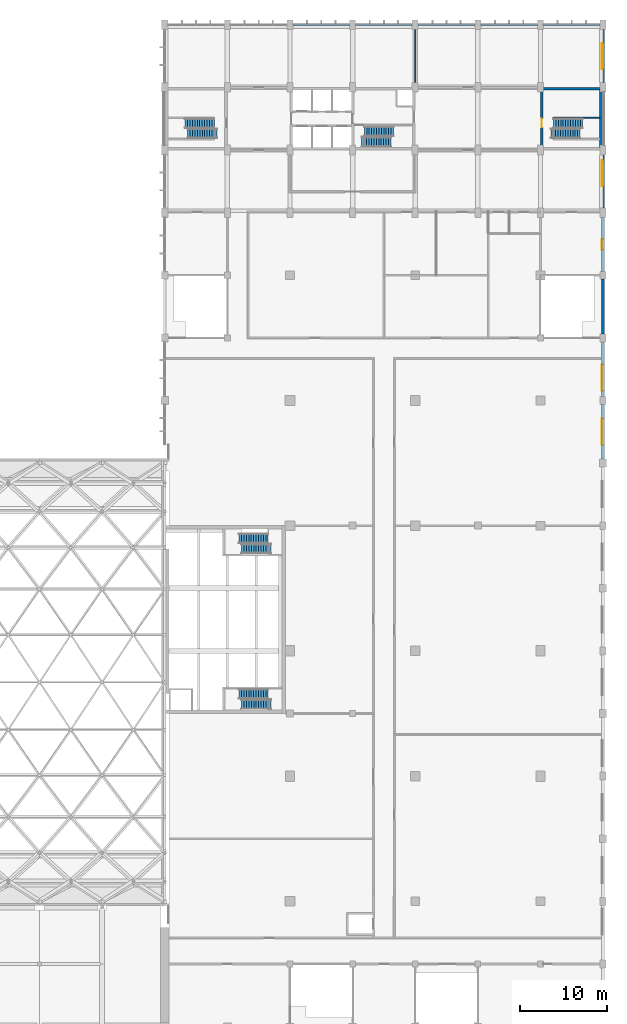
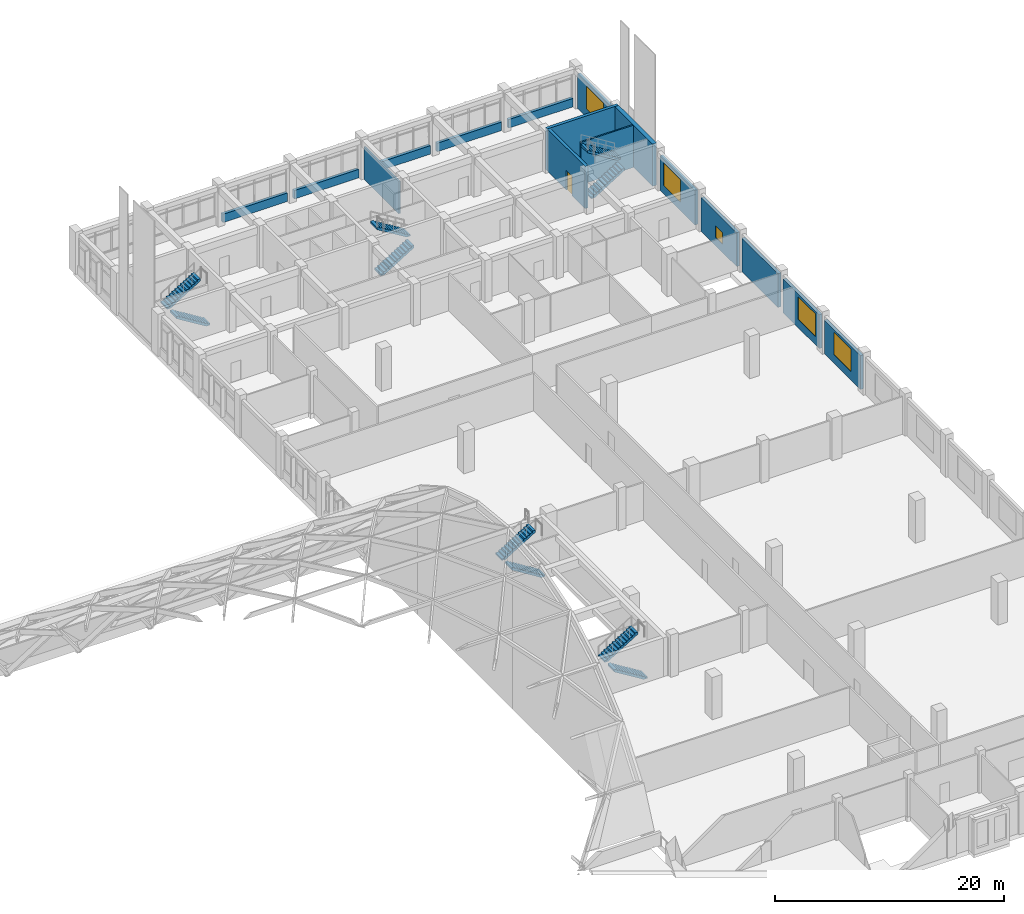
# One storey, part 38 of 52: 16 walls, 10 stair flights, 5 windows, 1 door, 6 openings, 5 elements without a shape of their own.
"""IFC4 building model written with IfcOpenShell, lengths in metres."""

import ifcopenshell
import ifcopenshell.guid

model = None  # the IFC model being written
_history = None  # IfcOwnerHistory: only IFC2X3 demands one
_inside = {}  # id of a spatial element -> (the spatial element, [elements in it])
_under = {}  # id of a project, library or spatial element -> (it, [spatial elements below it])
_declared = {}  # id of a project -> (the project, [libraries it declares])
_typed = {}  # id of a type object -> (the type object, [elements of that type])
_made_of = {}  # id of a material, layer set ... -> (it, [elements and type objects made of it])


def new_model(schema):
    """Start an empty IFC model of exactly this schema.

    Asked for "IFC4X3", IfcOpenShell would pick the latest addendum, in which some entities
    have other attributes; the version numbers below select the first issue.
    IFC2X3 requires an IfcOwnerHistory on every rooted entity: one is made here for all.
    """
    global model, _history
    if schema == "IFC4X3":
        model = ifcopenshell.file(schema_version=(4, 3, 0, 0))
    else:
        model = ifcopenshell.file(schema=schema)
    _inside.clear()
    _under.clear()
    _declared.clear()
    _typed.clear()
    _made_of.clear()
    _history = None
    if model.schema == "IFC2X3":
        org = make("IfcOrganization", Name="unknown")
        user = make(
            "IfcPersonAndOrganization",
            ThePerson=make("IfcPerson", FamilyName="unknown"),
            TheOrganization=org,
        )
        app = make(
            "IfcApplication",
            ApplicationDeveloper=org,
            Version="unknown",
            ApplicationFullName="unknown",
            ApplicationIdentifier="unknown",
        )
        _history = make(
            "IfcOwnerHistory",
            OwningUser=user,
            OwningApplication=app,
            ChangeAction="ADDED",
            CreationDate=0,
        )
    return model


def make(cls, **values):
    """One entity of the class cls with the attributes given. An attribute that is None is left unset."""
    return model.create_entity(
        cls, **{name: value for name, value in values.items() if value is not None}
    )


def rooted(cls, **values):
    """An entity with a GlobalId (a new one), such as an element, a storey or a relation."""
    return make(cls, GlobalId=ifcopenshell.guid.new(), OwnerHistory=_history, **values)


def si_unit(unit_type, name, prefix=None):
    """IfcSIUnit, for example si_unit("LENGTHUNIT", "METRE", prefix="MILLI")."""
    return make("IfcSIUnit", UnitType=unit_type, Prefix=prefix, Name=name)


def assignment(units):
    """IfcUnitAssignment: the units of a project."""
    return None if units is None else make("IfcUnitAssignment", Units=units)


def point(xyz):
    """IfcCartesianPoint."""
    return None if xyz is None else make("IfcCartesianPoint", Coordinates=xyz)


def direction(xyz):
    """IfcDirection."""
    return None if xyz is None else make("IfcDirection", DirectionRatios=xyz)


def frame(location, z_axis=None, x_axis=None):
    """IfcAxis2Placement3D, a coordinate frame: its origin and axes. An axis left out is left unset."""
    return make(
        "IfcAxis2Placement3D",
        Location=point(location),
        Axis=direction(z_axis),
        RefDirection=direction(x_axis),
    )


def frame_2d(location, x_axis=None):
    """IfcAxis2Placement2D, a coordinate frame in the plane: its origin and x axis."""
    return make(
        "IfcAxis2Placement2D", Location=point(location), RefDirection=direction(x_axis)
    )


def origin():
    """The frame at (0, 0, 0) with its axes left unset."""
    return frame((0.0, 0.0, 0.0))


def place(relative_to, where):
    """IfcLocalPlacement: puts the frame where relative to a parent placement (None: the world)."""
    return make(
        "IfcLocalPlacement", PlacementRelTo=relative_to, RelativePlacement=where
    )


def context(
    kind, dimensions, precision=None, world=None, true_north=None, identifier=None
):
    """IfcGeometricRepresentationContext, for example the 3D "Model" context."""
    return make(
        "IfcGeometricRepresentationContext",
        ContextIdentifier=identifier,
        ContextType=kind,
        CoordinateSpaceDimension=dimensions,
        Precision=precision,
        WorldCoordinateSystem=world,
        TrueNorth=true_north,
    )


def subcontext(parent, identifier, kind, view, scale=None):
    """IfcGeometricRepresentationSubContext, for example "Body" below "Model"."""
    return make(
        "IfcGeometricRepresentationSubContext",
        ContextIdentifier=identifier,
        ContextType=kind,
        ParentContext=parent,
        TargetScale=scale,
        TargetView=view,
    )


def project(units=None, contexts=None):
    """IfcProject with its units and contexts."""
    return rooted(
        "IfcProject",
        Name="project",
        RepresentationContexts=contexts,
        UnitsInContext=assignment(units),
    )


def spatial(cls, under=None, at=None, **own):
    """A site, building, storey or space (cls), placed at a placement, below another one or the project."""
    s = rooted(cls, ObjectPlacement=at, **own)
    if under is not None:
        _under.setdefault(under.id(), (under, []))[1].append(s)
    return s


def polyline(points):
    """IfcPolyline through the points."""
    return make("IfcPolyline", Points=[point(p) for p in points])


def profile(cls, at=None, kind="AREA", **sizes):
    """A parametric profile (cls). Its sizes go by their IFC names, for example OverallWidth=200.0."""
    return make(cls, ProfileType=kind, Position=at, **sizes)


def rectangle(**sizes):
    """IfcRectangleProfileDef."""
    return profile("IfcRectangleProfileDef", **sizes)


def outline(outer, holes=None, kind="AREA"):
    """IfcArbitraryClosedProfileDef: a profile drawn as a closed curve; with holes, ...WithVoids."""
    if holes is None:
        return make("IfcArbitraryClosedProfileDef", ProfileType=kind, OuterCurve=outer)
    return make(
        "IfcArbitraryProfileDefWithVoids",
        ProfileType=kind,
        OuterCurve=outer,
        InnerCurves=holes,
    )


def extrude(swept, where, along, depth):
    """IfcExtrudedAreaSolid: the profile swept, set in the frame where, extruded along a direction by depth."""
    return make(
        "IfcExtrudedAreaSolid",
        SweptArea=swept,
        Position=where,
        ExtrudedDirection=direction(along),
        Depth=depth,
    )


def shape(context_of_items, identifier, shape_type, items):
    """IfcShapeRepresentation: the items that make up one representation, for example the "Body"."""
    return make(
        "IfcShapeRepresentation",
        ContextOfItems=context_of_items,
        RepresentationIdentifier=identifier,
        RepresentationType=shape_type,
        Items=items,
    )


def material(Name=None, Category=None):
    """IfcMaterial."""
    return make("IfcMaterial", Name=Name, Category=Category)


def layer(
    of_material, thickness, ventilated=None, Name=None, Category=None, Priority=None
):
    """IfcMaterialLayer: one layer of a wall or slab, of a material (None: an air gap)."""
    return make(
        "IfcMaterialLayer",
        Material=of_material,
        LayerThickness=thickness,
        IsVentilated=ventilated,
        Name=Name,
        Category=Category,
        Priority=Priority,
    )


def layer_set(layers, Name=None):
    """IfcMaterialLayerSet."""
    return make("IfcMaterialLayerSet", MaterialLayers=layers, LayerSetName=Name)


def made_of(thing, what):
    """Note that an element or type object is made of a material, layer set ...; save() writes the relation."""
    if what is not None:
        _made_of.setdefault(what.id(), (what, []))[1].append(thing)
    return thing


def type_object(cls, material=None, **own):
    """A type object (cls), such as IfcWallType, which elements share."""
    return made_of(rooted(cls, **own), material)


def element(
    cls,
    number,
    at=None,
    inside=None,
    cuts=None,
    type_object=None,
    material=None,
    context=None,
    identifier="Body",
    shape_type=None,
    held_by="IfcProductDefinitionShape",
    body=None,
    shapes=None,
    **own,
):
    """One element of the class cls, such as IfcWall. Its Tag is "e" and its number.

    at: its placement. inside: the storey or other place that contains it. cuts: it is an
    opening in that element (IfcRelVoidsElement). A single representation is given by context,
    identifier, shape_type and body (its items); several are given by shapes. held_by: the class
    of the entity that holds the representations. save() writes the other relations.
    """
    e = rooted(cls, Tag="e%d" % number, ObjectPlacement=at, **own)
    if body is not None:
        shapes = [shape(context, identifier, shape_type, body)]
    if shapes is not None:
        e.Representation = make(held_by, Representations=shapes)
    if inside is not None:
        _inside.setdefault(inside.id(), (inside, []))[1].append(e)
    if cuts is not None:
        rooted(
            "IfcRelVoidsElement", RelatingBuildingElement=cuts, RelatedOpeningElement=e
        )
    if type_object is not None:
        _typed.setdefault(type_object.id(), (type_object, []))[1].append(e)
    return made_of(e, material)


def fill(opening, filler):
    """IfcRelFillsElement: the door or window that sits in an opening."""
    return rooted(
        "IfcRelFillsElement",
        RelatingOpeningElement=opening,
        RelatedBuildingElement=filler,
    )


def aggregate(whole, parts):
    """IfcRelAggregates: a whole, such as a stair, and the parts it consists of."""
    return rooted("IfcRelAggregates", RelatingObject=whole, RelatedObjects=parts)


def save(model, path):
    """Write the relations noted so far, then the file.

    IfcRelAggregates (storeys below a building ...), IfcRelContainedInSpatialStructure (elements
    in a storey), IfcRelDefinesByType, IfcRelAssociatesMaterial and IfcRelDeclares: one each for
    every whole, place, type object, material and project.
    """
    for whole, parts in _under.values():
        aggregate(whole, parts)
    for where, things in _inside.values():
        rooted(
            "IfcRelContainedInSpatialStructure",
            RelatedElements=things,
            RelatingStructure=where,
        )
    for kind, things in _typed.values():
        rooted("IfcRelDefinesByType", RelatedObjects=things, RelatingType=kind)
    for what, things in _made_of.values():
        rooted("IfcRelAssociatesMaterial", RelatedObjects=things, RelatingMaterial=what)
    for by, libraries in _declared.values():
        rooted("IfcRelDeclares", RelatingContext=by, RelatedDefinitions=libraries)
    model.write(path)


model = new_model("IFC4")

# Units and contexts
model_context = context("Model", 3, precision=1e-05, world=origin(), true_north=direction((0.0, 1.0)))
body_context = subcontext(model_context, "Body", "Model", "MODEL_VIEW")
ifc_project = project(units=[si_unit("LENGTHUNIT", "METRE"), si_unit("AREAUNIT", "SQUARE_METRE"), si_unit("VOLUMEUNIT", "CUBIC_METRE"), si_unit("PLANEANGLEUNIT", "RADIAN"), si_unit("MASSUNIT", "GRAM", prefix="KILO")], contexts=[model_context])

# Site, building, storey
site_placement = place(None, origin())
site = spatial("IfcSite", under=ifc_project, at=site_placement, CompositionType="ELEMENT")
building_placement = place(site_placement, origin())
building = spatial("IfcBuilding", under=site, at=building_placement, Name="Vermilion Court Aquatics Centre", CompositionType="ELEMENT")
storey_placement = place(building_placement, frame((0.0, 0.0, 12.0)))
storey = spatial("IfcBuildingStorey", under=building, at=storey_placement, Name="L02", CompositionType="ELEMENT", Elevation=12.0)

# Walls
ifc_material_1 = material(Name="Concrete 8000 psi", Category="concrete")
ifc_layer_1 = layer(ifc_material_1, 0.39990234375)
ifc_layer_set_1 = layer_set([ifc_layer_1], Name="North block core brick-faced shear wall 400")
wall_type_1 = type_object("IfcWallType", Name="North block core brick-faced shear wall 400", PredefinedType="SHEAR", material=ifc_layer_set_1)
wall_1_placement = place(storey_placement, frame((194.199951171875, 101.10009765625, 0.0), z_axis=(0.0, 0.0, 1.0), x_axis=(0.0, 1.0, 0.0)))
element("IfcWall", 1, at=wall_1_placement, inside=storey, type_object=wall_type_1, Name="Stair 2 shear wall outer L02", PredefinedType="SHEAR", context=body_context, shape_type="SweptSolid", body=[
    extrude(rectangle(XDim=6.599853515625, YDim=0.39990234375, at=frame_2d((3.2998046875, 0.0))), origin(), (0.0, 0.0, 1.0), 4.5),
])
ifc_material_2 = material(Name="Concrete 8000 psi", Category="concrete")
ifc_layer_2 = layer(ifc_material_2, 0.300048828125)
ifc_layer_set_2 = layer_set([ifc_layer_2], Name="North block core shear wall 300")
wall_type_2 = type_object("IfcWallType", Name="North block core shear wall 300", PredefinedType="SHEAR", material=ifc_layer_set_2)
wall_2_placement = place(storey_placement, frame((194.39990234375, 107.85009765625, 0.0), z_axis=(0.0, 0.0, 1.0), x_axis=(-1.0, 0.0, 0.0)))
element("IfcWall", 2, at=wall_2_placement, inside=storey, type_object=wall_type_2, Name="Stair 2 shear wall north L02", PredefinedType="SHEAR", context=body_context, shape_type="SweptSolid", body=[
    extrude(rectangle(XDim=7.199951171875, YDim=0.300048828125, at=frame_2d((3.60009765625, 0.0))), origin(), (0.0, 0.0, 1.0), 4.5),
])

# Wall, opening, door
wall_3_placement = place(storey_placement, frame((187.35009765625, 101.10009765625, 0.0), z_axis=(0.0, 0.0, 1.0), x_axis=(0.0, 1.0, 0.0)))
wall_3 = element("IfcWall", 3, at=wall_3_placement, inside=storey, type_object=wall_type_2, Name="Stair 2 shear wall inner L02", PredefinedType="SHEAR", context=body_context, shape_type="SweptSolid", body=[
    extrude(rectangle(XDim=6.599853515625, YDim=0.300048828125, at=frame_2d((3.2998046875, 0.0))), origin(), (0.0, 0.0, 1.0), 4.5),
])
opening_1_placement = place(wall_3_placement, frame((2.300048828125, 0.0, 0.0)))
opening_1 = element("IfcOpeningElement", 4, at=opening_1_placement, cuts=wall_3, Name="Opening U02-009", PredefinedType="OPENING", context=body_context, shape_type="SweptSolid", body=[
    extrude(rectangle(XDim=1.0, YDim=2.10009765625, at=frame_2d((0.5, 1.050048828125))), frame((0.0, 0.159912109375, 0.0), z_axis=(0.0, -1.0, 0.0), x_axis=(1.0, 0.0, 0.0)), (0.0, 0.0, 1.0), 0.320068359375),
])
ifc_material_3 = material(Name="Hollow metal")
door_type = type_object("IfcDoorType", Name="North block fire door FD90 1000x2100", OperationType="NOTDEFINED", PredefinedType="DOOR", material=ifc_material_3)
door_placement = place(opening_1_placement, frame((1.0, 0.0, 0.0), z_axis=(0.0, 0.0, 1.0), x_axis=(-1.0, 0.0, 0.0)))
door = element("IfcDoor", 5, at=door_placement, inside=storey, type_object=door_type, Name="Stair 2 door L02", OperationType="SINGLE_SWING_RIGHT", OverallHeight=2.10009765625, OverallWidth=1.0, PredefinedType="DOOR", context=body_context, shape_type="SweptSolid", body=[
    extrude(rectangle(XDim=1.0, YDim=2.10009765625, at=frame_2d((0.5, 1.050048828125))), frame((0.0, 0.025146484375, 0.0), z_axis=(0.0, -1.0, 0.0), x_axis=(1.0, 0.0, 0.0)), (0.0, 0.0, 1.0), 0.050048828125),
])
fill(opening_1, door)

# Walls
ifc_material_4 = material(Name="Concrete 5000 psi", Category="concrete")
ifc_layer_3 = layer(ifc_material_4, 0.14990234375)
ifc_layer_set_3 = layer_set([ifc_layer_3], Name="North block stair lane wall 150")
wall_type_3 = type_object("IfcWallType", Name="North block stair lane wall 150", PredefinedType="SHEAR", material=ifc_layer_set_3)
wall_4_placement = place(storey_placement, frame((188.699951171875, 104.5048828125, 0.0), z_axis=(0.0, 0.0, 1.0), x_axis=(1.0, 0.0, 0.0)))
element("IfcWall", 6, at=wall_4_placement, inside=storey, type_object=wall_type_3, Name="Stair 2 lane wall north L02", PredefinedType="SHEAR", context=body_context, shape_type="SweptSolid", body=[
    extrude(rectangle(XDim=5.300048828125, YDim=0.14990234375, at=frame_2d((2.64990234375, 0.0))), origin(), (0.0, 0.0, 1.0), 4.5),
])
ifc_material_5 = material(Name="Brick masonry", Category="masonry")
ifc_layer_4 = layer(ifc_material_5, 0.300048828125)
ifc_layer_set_4 = layer_set([ifc_layer_4], Name="Podium facade brick wall 300")
wall_type_4 = type_object("IfcWallType", Name="Podium facade brick wall 300", PredefinedType="SOLIDWALL", material=ifc_layer_set_4)
for number, where, z_axis, x_axis, name in (
    (7, (158.75, 115.199951171875, 0.0), (0.0, 0.0, 1.0), (1.0, 0.0, 0.0), "Facade sill wall L02"),
    (8, (165.949951171875, 115.199951171875, 0.0), (0.0, 0.0, 1.0), (1.0, 0.0, 0.0), "Facade sill wall L02"),
    (9, (173.14990234375, 115.199951171875, 0.0), (0.0, 0.0, 1.0), (1.0, 0.0, 0.0), "Facade sill wall L02"),
    (10, (180.35009765625, 115.199951171875, 0.0), (0.0, 0.0, 1.0), (1.0, 0.0, 0.0), "Facade sill wall L02"),
    (11, (187.550048828125, 115.199951171875, 0.0), (0.0, 0.0, 1.0), (1.0, 0.0, 0.0), "Facade sill wall L02"),
):
    element("IfcWall", number, at=place(storey_placement, frame(where, z_axis=z_axis, x_axis=x_axis)), inside=storey, type_object=wall_type_4, Name=name, PredefinedType="SOLIDWALL", context=body_context, shape_type="SweptSolid", body=[
        extrude(rectangle(XDim=6.5, YDim=0.300048828125, at=frame_2d((3.25, 0.0))), origin(), (0.0, 0.0, 1.0), 0.89990234375),
    ])

# Wall, opening, window
wall_5_placement = place(storey_placement, frame((194.39990234375, 65.25, 0.0), z_axis=(0.0, 0.0, 1.0), x_axis=(0.0, 1.0, 0.0)))
wall_5 = element("IfcWall", 12, at=wall_5_placement, inside=storey, type_object=wall_type_4, Name="Facade wall L02", PredefinedType="SOLIDWALL", context=body_context, shape_type="SweptSolid", body=[
    extrude(rectangle(XDim=6.300048828125, YDim=0.300048828125, at=frame_2d((3.14990234375, 0.0))), origin(), (0.0, 0.0, 1.0), 3.60009765625),
])
opening_2_placement = place(wall_5_placement, frame((1.64990234375, 0.0, 0.89990234375)))
opening_2 = element("IfcOpeningElement", 13, at=opening_2_placement, cuts=wall_5, Name="Opening PN1", PredefinedType="OPENING", context=body_context, shape_type="SweptSolid", body=[
    extrude(rectangle(XDim=3.0, YDim=2.39990234375, at=frame_2d((1.5, 1.199951171875))), frame((0.0, 0.159912109375, 0.0), z_axis=(0.0, -1.0, 0.0), x_axis=(1.0, 0.0, 0.0)), (0.0, 0.0, 1.0), 0.320068359375),
])
ifc_material_6 = material(Name="Aluminium 6063-T5", Category="aluminium")
window_type_1 = type_object("IfcWindowType", Name="Podium window 3000x2400", PartitioningType="DOUBLE_PANEL_VERTICAL", PredefinedType="WINDOW", material=ifc_material_6)
window_1_placement = place(opening_2_placement, origin())
window_1 = element("IfcWindow", 14, at=window_1_placement, inside=storey, type_object=window_type_1, Name="Window L02", OverallHeight=2.39990234375, OverallWidth=3.0, PartitioningType="DOUBLE_PANEL_VERTICAL", PredefinedType="WINDOW", context=body_context, shape_type="SweptSolid", body=[
    extrude(rectangle(XDim=3.0, YDim=2.39990234375, at=frame_2d((1.5, 1.199951171875))), frame((0.0, 0.1201171875, 0.0), z_axis=(0.0, -1.0, 0.0), x_axis=(1.0, 0.0, 0.0)), (0.0, 0.0, 1.0), 0.06005859375),
])
fill(opening_2, window_1)

wall_6_placement = place(storey_placement, frame((194.39990234375, 72.449951171875, 0.0), z_axis=(0.0, 0.0, 1.0), x_axis=(0.0, 1.0, 0.0)))
wall_6 = element("IfcWall", 15, at=wall_6_placement, inside=storey, type_object=wall_type_4, Name="Facade wall L02", PredefinedType="SOLIDWALL", context=body_context, shape_type="SweptSolid", body=[
    extrude(rectangle(XDim=6.300048828125, YDim=0.300048828125, at=frame_2d((3.14990234375, 0.0))), origin(), (0.0, 0.0, 1.0), 3.60009765625),
])
opening_3_placement = place(wall_6_placement, frame((0.675048828125, 0.0, 0.89990234375)))
opening_3 = element("IfcOpeningElement", 16, at=opening_3_placement, cuts=wall_6, Name="Opening PN1", PredefinedType="OPENING", context=body_context, shape_type="SweptSolid", body=[
    extrude(rectangle(XDim=3.0, YDim=2.39990234375, at=frame_2d((1.5, 1.199951171875))), frame((0.0, 0.159912109375, 0.0), z_axis=(0.0, -1.0, 0.0), x_axis=(1.0, 0.0, 0.0)), (0.0, 0.0, 1.0), 0.320068359375),
])
window_2_placement = place(opening_3_placement, origin())
window_2 = element("IfcWindow", 17, at=window_2_placement, inside=storey, type_object=window_type_1, Name="Window L02", OverallHeight=2.39990234375, OverallWidth=3.0, PartitioningType="DOUBLE_PANEL_VERTICAL", PredefinedType="WINDOW", context=body_context, shape_type="SweptSolid", body=[
    extrude(rectangle(XDim=3.0, YDim=2.39990234375, at=frame_2d((1.5, 1.199951171875))), frame((0.0, 0.1201171875, 0.0), z_axis=(0.0, -1.0, 0.0), x_axis=(1.0, 0.0, 0.0)), (0.0, 0.0, 1.0), 0.06005859375),
])
fill(opening_3, window_2)

# Wall
wall_7_placement = place(storey_placement, frame((194.39990234375, 79.64990234375, 0.0), z_axis=(0.0, 0.0, 1.0), x_axis=(0.0, 1.0, 0.0)))
element("IfcWall", 18, at=wall_7_placement, inside=storey, type_object=wall_type_4, Name="Facade wall L02", PredefinedType="SOLIDWALL", context=body_context, shape_type="SweptSolid", body=[
    extrude(rectangle(XDim=6.300048828125, YDim=0.300048828125, at=frame_2d((3.14990234375, 0.0))), origin(), (0.0, 0.0, 1.0), 3.60009765625),
])

# Wall, opening, window
wall_8_placement = place(storey_placement, frame((194.39990234375, 86.85009765625, 0.0), z_axis=(0.0, 0.0, 1.0), x_axis=(0.0, 1.0, 0.0)))
wall_8 = element("IfcWall", 19, at=wall_8_placement, inside=storey, type_object=wall_type_4, Name="Facade wall L02", PredefinedType="SOLIDWALL", context=body_context, shape_type="SweptSolid", body=[
    extrude(rectangle(XDim=6.199951171875, YDim=0.300048828125, at=frame_2d((3.10009765625, 0.0))), origin(), (0.0, 0.0, 1.0), 3.60009765625),
])
opening_4_placement = place(wall_8_placement, frame((2.5, 0.0, 0.89990234375)))
opening_4 = element("IfcOpeningElement", 20, at=opening_4_placement, cuts=wall_8, Name="Opening PN4", PredefinedType="OPENING", context=body_context, shape_type="SweptSolid", body=[
    extrude(rectangle(XDim=1.199951171875, YDim=1.199951171875, at=frame_2d((0.60009765625, 0.60009765625))), frame((0.0, 0.159912109375, 0.0), z_axis=(0.0, -1.0, 0.0), x_axis=(1.0, 0.0, 0.0)), (0.0, 0.0, 1.0), 0.320068359375),
])
ifc_material_7 = material(Name="Aluminium 6063-T5", Category="aluminium")
window_type_2 = type_object("IfcWindowType", Name="Podium window 1200x1200", PartitioningType="SINGLE_PANEL", PredefinedType="WINDOW", material=ifc_material_7)
window_3_placement = place(opening_4_placement, origin())
window_3 = element("IfcWindow", 21, at=window_3_placement, inside=storey, type_object=window_type_2, Name="Window L02", OverallHeight=1.199951171875, OverallWidth=1.199951171875, PartitioningType="SINGLE_PANEL", PredefinedType="WINDOW", context=body_context, shape_type="SweptSolid", body=[
    extrude(rectangle(XDim=1.199951171875, YDim=1.199951171875, at=frame_2d((0.60009765625, 0.60009765625))), frame((0.0, 0.1201171875, 0.0), z_axis=(0.0, -1.0, 0.0), x_axis=(1.0, 0.0, 0.0)), (0.0, 0.0, 1.0), 0.06005859375),
])
fill(opening_4, window_3)

wall_9_placement = place(storey_placement, frame((194.39990234375, 94.14990234375, 0.0), z_axis=(0.0, 0.0, 1.0), x_axis=(0.0, 1.0, 0.0)))
wall_9 = element("IfcWall", 22, at=wall_9_placement, inside=storey, type_object=wall_type_4, Name="Facade wall L02", PredefinedType="SOLIDWALL", context=body_context, shape_type="SweptSolid", body=[
    extrude(rectangle(XDim=6.10009765625, YDim=0.300048828125, at=frame_2d((3.050048828125, 0.0))), origin(), (0.0, 0.0, 1.0), 3.699951171875),
])
opening_5_placement = place(wall_9_placement, frame((2.47509765625, 0.0, 0.89990234375)))
opening_5 = element("IfcOpeningElement", 23, at=opening_5_placement, cuts=wall_9, Name="Opening PN1", PredefinedType="OPENING", context=body_context, shape_type="SweptSolid", body=[
    extrude(rectangle(XDim=3.0, YDim=2.39990234375, at=frame_2d((1.5, 1.199951171875))), frame((0.0, 0.159912109375, 0.0), z_axis=(0.0, -1.0, 0.0), x_axis=(1.0, 0.0, 0.0)), (0.0, 0.0, 1.0), 0.320068359375),
])
window_4_placement = place(opening_5_placement, origin())
window_4 = element("IfcWindow", 24, at=window_4_placement, inside=storey, type_object=window_type_1, Name="Window L02", OverallHeight=2.39990234375, OverallWidth=3.0, PartitioningType="DOUBLE_PANEL_VERTICAL", PredefinedType="WINDOW", context=body_context, shape_type="SweptSolid", body=[
    extrude(rectangle(XDim=3.0, YDim=2.39990234375, at=frame_2d((1.5, 1.199951171875))), frame((0.0, 0.1201171875, 0.0), z_axis=(0.0, -1.0, 0.0), x_axis=(1.0, 0.0, 0.0)), (0.0, 0.0, 1.0), 0.06005859375),
])
fill(opening_5, window_4)

wall_10_placement = place(storey_placement, frame((194.39990234375, 108.550048828125, 0.0), z_axis=(0.0, 0.0, 1.0), x_axis=(0.0, 1.0, 0.0)))
wall_10 = element("IfcWall", 25, at=wall_10_placement, inside=storey, type_object=wall_type_4, Name="Facade wall L02", PredefinedType="SOLIDWALL", context=body_context, shape_type="SweptSolid", body=[
    extrude(rectangle(XDim=6.099853515625, YDim=0.300048828125, at=frame_2d((3.0498046875, 0.0))), origin(), (0.0, 0.0, 1.0), 3.699951171875),
])
opening_6_placement = place(wall_10_placement, frame((1.550048828125, 0.0, 0.89990234375)))
opening_6 = element("IfcOpeningElement", 26, at=opening_6_placement, cuts=wall_10, Name="Opening PN1", PredefinedType="OPENING", context=body_context, shape_type="SweptSolid", body=[
    extrude(rectangle(XDim=3.0, YDim=2.39990234375, at=frame_2d((1.5, 1.199951171875))), frame((0.0, 0.159912109375, 0.0), z_axis=(0.0, -1.0, 0.0), x_axis=(1.0, 0.0, 0.0)), (0.0, 0.0, 1.0), 0.320068359375),
])
window_5_placement = place(opening_6_placement, origin())
window_5 = element("IfcWindow", 27, at=window_5_placement, inside=storey, type_object=window_type_1, Name="Window L02", OverallHeight=2.39990234375, OverallWidth=3.0, PartitioningType="DOUBLE_PANEL_VERTICAL", PredefinedType="WINDOW", context=body_context, shape_type="SweptSolid", body=[
    extrude(rectangle(XDim=3.0, YDim=2.39990234375, at=frame_2d((1.5, 1.199951171875))), frame((0.0, 0.1201171875, 0.0), z_axis=(0.0, -1.0, 0.0), x_axis=(1.0, 0.0, 0.0)), (0.0, 0.0, 1.0), 0.06005859375),
])
fill(opening_6, window_5)

# Wall
ifc_material_8 = material(Name="Gypsum board")
ifc_layer_5 = layer(ifc_material_8, 0.14990234375)
ifc_layer_set_5 = layer_set([ifc_layer_5], Name="Podium partition wall 150")
wall_type_5 = type_object("IfcWallType", Name="Podium partition wall 150", PredefinedType="PARTITIONING", material=ifc_layer_set_5)
wall_11_placement = place(storey_placement, frame((172.800048828125, 108.550048828125, 0.0), z_axis=(0.0, 0.0, 1.0), x_axis=(0.0, 1.0, 0.0)))
element("IfcWall", 28, at=wall_11_placement, inside=storey, type_object=wall_type_5, Name="Partition", PredefinedType="PARTITIONING", context=body_context, shape_type="SweptSolid", body=[
    extrude(rectangle(XDim=6.099853515625, YDim=0.14990234375, at=frame_2d((3.0498046875, 0.0))), origin(), (0.0, 0.0, 1.0), 3.449951171875),
])

# Stair, stair flights
ifc_material_9 = material(Name="Concrete 5000 psi", Category="concrete")
stair_type_1 = type_object("IfcStairType", Name="Diving Tower stair 1130", PredefinedType="HALF_TURN_STAIR", material=ifc_material_9)
stair_1_placement = place(storey_placement, origin())
stair_1 = element("IfcStair", 29, at=stair_1_placement, inside=storey, type_object=stair_type_1, Name="Exit stair ST-D1 L02", PredefinedType="HALF_TURN_STAIR")
ifc_material_10 = material(Name="Concrete 5000 psi", Category="concrete")
stair_flight_type_1 = type_object("IfcStairFlightType", Name="Diving Tower stair flight 1130", PredefinedType="STRAIGHT", material=ifc_material_10)
stair_flight_1_placement = place(storey_placement, frame((156.199951171875, 37.06494140625, 0.0), z_axis=(0.0, 0.0, 1.0), x_axis=(-1.0, 0.0, 0.0)))
stair_flight_1 = element("IfcStairFlight", 30, at=stair_flight_1_placement, type_object=stair_flight_type_1, Name="ST-D1 flight 1", NumberOfRisers=13, NumberOfTreads=12, PredefinedType="STRAIGHT", RiserHeight=0.173077, TreadLength=0.28, context=body_context, shape_type="SweptSolid", body=[
    extrude(outline(polyline([(0.0, 0.0), (0.0, 0.173095703125), (0.280029296875, 0.173095703125), (0.280029296875, 0.34619140625), (0.56005859375, 0.34619140625), (0.56005859375, 0.519287109375), (0.840087890625, 0.519287109375), (0.840087890625, 0.6923828125), (1.1201171875, 0.6923828125), (1.1201171875, 0.865478515625), (1.39990234375, 0.865478515625), (1.39990234375, 1.03857421875), (1.679931640625, 1.03857421875), (1.679931640625, 1.21142578125), (1.9599609375, 1.21142578125), (1.9599609375, 1.384521484375), (2.239990234375, 1.384521484375), (2.239990234375, 1.5576171875), (2.52001953125, 1.5576171875), (2.52001953125, 1.730712890625), (2.800048828125, 1.730712890625), (2.800048828125, 1.90380859375), (3.080078125, 1.90380859375), (3.080078125, 2.076904296875), (3.360107421875, 2.076904296875), (3.360107421875, 2.25), (3.360107421875, 1.841796875), (0.38037109375, 0.0), (0.0, 0.0)])), frame((0.0, 0.56494140625, 0.0), z_axis=(0.0, -1.0, 0.0), x_axis=(1.0, 0.0, 0.0)), (0.0, 0.0, 1.0), 1.1298828125),
])
stair_flight_2_placement = place(storey_placement, frame((152.5400390625, 38.235107421875, 2.25), z_axis=(0.0, 0.0, 1.0), x_axis=(1.0, 0.0, 0.0)))
stair_flight_2 = element("IfcStairFlight", 31, at=stair_flight_2_placement, type_object=stair_flight_type_1, Name="ST-D1 flight 2", NumberOfRisers=13, NumberOfTreads=12, PredefinedType="STRAIGHT", RiserHeight=0.173077, TreadLength=0.28, context=body_context, shape_type="SweptSolid", body=[
    extrude(outline(polyline([(0.0, 0.0), (0.0, 0.173095703125), (0.280029296875, 0.173095703125), (0.280029296875, 0.34619140625), (0.56005859375, 0.34619140625), (0.56005859375, 0.519287109375), (0.840087890625, 0.519287109375), (0.840087890625, 0.6923828125), (1.1201171875, 0.6923828125), (1.1201171875, 0.865478515625), (1.39990234375, 0.865478515625), (1.39990234375, 1.03857421875), (1.679931640625, 1.03857421875), (1.679931640625, 1.21142578125), (1.9599609375, 1.21142578125), (1.9599609375, 1.384521484375), (2.239990234375, 1.384521484375), (2.239990234375, 1.5576171875), (2.52001953125, 1.5576171875), (2.52001953125, 1.730712890625), (2.800048828125, 1.730712890625), (2.800048828125, 1.90380859375), (3.080078125, 1.90380859375), (3.080078125, 2.076904296875), (3.360107421875, 2.076904296875), (3.360107421875, 2.25), (3.360107421875, 1.841796875), (0.38037109375, 0.0), (0.0, 0.0)])), frame((0.0, 0.56494140625, 0.0), z_axis=(0.0, -1.0, 0.0), x_axis=(1.0, 0.0, 0.0)), (0.0, 0.0, 1.0), 1.1298828125),
])
aggregate(stair_1, [stair_flight_1, stair_flight_2])

stair_2_placement = place(storey_placement, origin())
stair_2 = element("IfcStair", 32, at=stair_2_placement, inside=storey, type_object=stair_type_1, Name="Exit stair ST-D2 L02", PredefinedType="HALF_TURN_STAIR")
stair_flight_3_placement = place(storey_placement, frame((156.199951171875, 54.965087890625, 0.0), z_axis=(0.0, 0.0, 1.0), x_axis=(-1.0, 0.0, 0.0)))
stair_flight_3 = element("IfcStairFlight", 33, at=stair_flight_3_placement, type_object=stair_flight_type_1, Name="ST-D2 flight 1", NumberOfRisers=13, NumberOfTreads=12, PredefinedType="STRAIGHT", RiserHeight=0.173077, TreadLength=0.28, context=body_context, shape_type="SweptSolid", body=[
    extrude(outline(polyline([(0.0, 0.0), (0.0, 0.173095703125), (0.280029296875, 0.173095703125), (0.280029296875, 0.34619140625), (0.56005859375, 0.34619140625), (0.56005859375, 0.519287109375), (0.840087890625, 0.519287109375), (0.840087890625, 0.6923828125), (1.1201171875, 0.6923828125), (1.1201171875, 0.865478515625), (1.39990234375, 0.865478515625), (1.39990234375, 1.03857421875), (1.679931640625, 1.03857421875), (1.679931640625, 1.21142578125), (1.9599609375, 1.21142578125), (1.9599609375, 1.384521484375), (2.239990234375, 1.384521484375), (2.239990234375, 1.5576171875), (2.52001953125, 1.5576171875), (2.52001953125, 1.730712890625), (2.800048828125, 1.730712890625), (2.800048828125, 1.90380859375), (3.080078125, 1.90380859375), (3.080078125, 2.076904296875), (3.360107421875, 2.076904296875), (3.360107421875, 2.25), (3.360107421875, 1.841796875), (0.38037109375, 0.0), (0.0, 0.0)])), frame((0.0, 0.56494140625, 0.0), z_axis=(0.0, -1.0, 0.0), x_axis=(1.0, 0.0, 0.0)), (0.0, 0.0, 1.0), 1.1298828125),
])
stair_flight_4_placement = place(storey_placement, frame((152.5400390625, 56.135009765625, 2.25), z_axis=(0.0, 0.0, 1.0), x_axis=(1.0, 0.0, 0.0)))
stair_flight_4 = element("IfcStairFlight", 34, at=stair_flight_4_placement, type_object=stair_flight_type_1, Name="ST-D2 flight 2", NumberOfRisers=13, NumberOfTreads=12, PredefinedType="STRAIGHT", RiserHeight=0.173077, TreadLength=0.28, context=body_context, shape_type="SweptSolid", body=[
    extrude(outline(polyline([(0.0, 0.0), (0.0, 0.173095703125), (0.280029296875, 0.173095703125), (0.280029296875, 0.34619140625), (0.56005859375, 0.34619140625), (0.56005859375, 0.519287109375), (0.840087890625, 0.519287109375), (0.840087890625, 0.6923828125), (1.1201171875, 0.6923828125), (1.1201171875, 0.865478515625), (1.39990234375, 0.865478515625), (1.39990234375, 1.03857421875), (1.679931640625, 1.03857421875), (1.679931640625, 1.21142578125), (1.9599609375, 1.21142578125), (1.9599609375, 1.384521484375), (2.239990234375, 1.384521484375), (2.239990234375, 1.5576171875), (2.52001953125, 1.5576171875), (2.52001953125, 1.730712890625), (2.800048828125, 1.730712890625), (2.800048828125, 1.90380859375), (3.080078125, 1.90380859375), (3.080078125, 2.076904296875), (3.360107421875, 2.076904296875), (3.360107421875, 2.25), (3.360107421875, 1.841796875), (0.38037109375, 0.0), (0.0, 0.0)])), frame((0.0, 0.56494140625, 0.0), z_axis=(0.0, -1.0, 0.0), x_axis=(1.0, 0.0, 0.0)), (0.0, 0.0, 1.0), 1.1298828125),
])
aggregate(stair_2, [stair_flight_3, stair_flight_4])

ifc_material_11 = material(Name="Concrete 5000 psi", Category="concrete")
stair_type_2 = type_object("IfcStairType", Name="North block exit stair 1130", PredefinedType="HALF_TURN_STAIR", material=ifc_material_11)
stair_3_placement = place(storey_placement, origin())
stair_3 = element("IfcStair", 35, at=stair_3_placement, inside=storey, type_object=stair_type_2, Name="Exit stair ST-T1 L02", PredefinedType="HALF_TURN_STAIR")
ifc_material_12 = material(Name="Concrete 5000 psi", Category="concrete")
stair_flight_type_2 = type_object("IfcStairFlightType", Name="North block stair flight 1130", PredefinedType="STRAIGHT", material=ifc_material_12)
stair_flight_5_placement = place(storey_placement, frame((150.0, 102.695068359375, 0.0), z_axis=(0.0, 0.0, 1.0), x_axis=(-1.0, 0.0, 0.0)))
stair_flight_5 = element("IfcStairFlight", 36, at=stair_flight_5_placement, type_object=stair_flight_type_2, Name="ST-T1 flight 1", NumberOfRisers=13, NumberOfTreads=12, PredefinedType="STRAIGHT", RiserHeight=0.173077, TreadLength=0.28, context=body_context, shape_type="SweptSolid", body=[
    extrude(outline(polyline([(0.0, 0.0), (0.0, 0.173095703125), (0.280029296875, 0.173095703125), (0.280029296875, 0.34619140625), (0.56005859375, 0.34619140625), (0.56005859375, 0.519287109375), (0.840087890625, 0.519287109375), (0.840087890625, 0.6923828125), (1.1201171875, 0.6923828125), (1.1201171875, 0.865478515625), (1.39990234375, 0.865478515625), (1.39990234375, 1.03857421875), (1.679931640625, 1.03857421875), (1.679931640625, 1.21142578125), (1.9599609375, 1.21142578125), (1.9599609375, 1.384521484375), (2.239990234375, 1.384521484375), (2.239990234375, 1.5576171875), (2.52001953125, 1.5576171875), (2.52001953125, 1.730712890625), (2.800048828125, 1.730712890625), (2.800048828125, 1.90380859375), (3.080078125, 1.90380859375), (3.080078125, 2.076904296875), (3.360107421875, 2.076904296875), (3.360107421875, 2.25), (3.360107421875, 1.841796875), (0.38037109375, 0.0), (0.0, 0.0)])), frame((0.0, 0.56494140625, 0.0), z_axis=(0.0, -1.0, 0.0), x_axis=(1.0, 0.0, 0.0)), (0.0, 0.0, 1.0), 1.1298828125),
])
stair_flight_6_placement = place(storey_placement, frame((146.340087890625, 103.864990234375, 2.25), z_axis=(0.0, 0.0, 1.0), x_axis=(1.0, 0.0, 0.0)))
stair_flight_6 = element("IfcStairFlight", 37, at=stair_flight_6_placement, type_object=stair_flight_type_2, Name="ST-T1 flight 2", NumberOfRisers=13, NumberOfTreads=12, PredefinedType="STRAIGHT", RiserHeight=0.173077, TreadLength=0.28, context=body_context, shape_type="SweptSolid", body=[
    extrude(outline(polyline([(0.0, 0.0), (0.0, 0.173095703125), (0.280029296875, 0.173095703125), (0.280029296875, 0.34619140625), (0.56005859375, 0.34619140625), (0.56005859375, 0.519287109375), (0.840087890625, 0.519287109375), (0.840087890625, 0.6923828125), (1.1201171875, 0.6923828125), (1.1201171875, 0.865478515625), (1.39990234375, 0.865478515625), (1.39990234375, 1.03857421875), (1.679931640625, 1.03857421875), (1.679931640625, 1.21142578125), (1.9599609375, 1.21142578125), (1.9599609375, 1.384521484375), (2.239990234375, 1.384521484375), (2.239990234375, 1.5576171875), (2.52001953125, 1.5576171875), (2.52001953125, 1.730712890625), (2.800048828125, 1.730712890625), (2.800048828125, 1.90380859375), (3.080078125, 1.90380859375), (3.080078125, 2.076904296875), (3.360107421875, 2.076904296875), (3.360107421875, 2.25), (3.360107421875, 1.841796875), (0.38037109375, 0.0), (0.0, 0.0)])), frame((0.0, 0.56494140625, 0.0), z_axis=(0.0, -1.0, 0.0), x_axis=(1.0, 0.0, 0.0)), (0.0, 0.0, 1.0), 1.1298828125),
])
aggregate(stair_3, [stair_flight_5, stair_flight_6])

stair_4_placement = place(storey_placement, origin())
stair_4 = element("IfcStair", 38, at=stair_4_placement, inside=storey, type_object=stair_type_2, Name="Exit stair ST-T2 L02", PredefinedType="HALF_TURN_STAIR")
stair_flight_7_placement = place(storey_placement, frame((188.39990234375, 102.695068359375, 0.0), z_axis=(0.0, 0.0, 1.0), x_axis=(1.0, 0.0, 0.0)))
stair_flight_7 = element("IfcStairFlight", 39, at=stair_flight_7_placement, type_object=stair_flight_type_2, Name="ST-T2 flight 1", NumberOfRisers=13, NumberOfTreads=12, PredefinedType="STRAIGHT", RiserHeight=0.173077, TreadLength=0.28, context=body_context, shape_type="SweptSolid", body=[
    extrude(outline(polyline([(0.0, 0.0), (0.0, 0.173095703125), (0.280029296875, 0.173095703125), (0.280029296875, 0.34619140625), (0.56005859375, 0.34619140625), (0.56005859375, 0.519287109375), (0.840087890625, 0.519287109375), (0.840087890625, 0.6923828125), (1.1201171875, 0.6923828125), (1.1201171875, 0.865478515625), (1.39990234375, 0.865478515625), (1.39990234375, 1.03857421875), (1.679931640625, 1.03857421875), (1.679931640625, 1.21142578125), (1.9599609375, 1.21142578125), (1.9599609375, 1.384521484375), (2.239990234375, 1.384521484375), (2.239990234375, 1.5576171875), (2.52001953125, 1.5576171875), (2.52001953125, 1.730712890625), (2.800048828125, 1.730712890625), (2.800048828125, 1.90380859375), (3.080078125, 1.90380859375), (3.080078125, 2.076904296875), (3.360107421875, 2.076904296875), (3.360107421875, 2.25), (3.360107421875, 1.841796875), (0.38037109375, 0.0), (0.0, 0.0)])), frame((0.0, 0.56494140625, 0.0), z_axis=(0.0, -1.0, 0.0), x_axis=(1.0, 0.0, 0.0)), (0.0, 0.0, 1.0), 1.1298828125),
])
stair_flight_8_placement = place(storey_placement, frame((192.06005859375, 103.864990234375, 2.25), z_axis=(0.0, 0.0, 1.0), x_axis=(-1.0, 0.0, 0.0)))
stair_flight_8 = element("IfcStairFlight", 40, at=stair_flight_8_placement, type_object=stair_flight_type_2, Name="ST-T2 flight 2", NumberOfRisers=13, NumberOfTreads=12, PredefinedType="STRAIGHT", RiserHeight=0.173077, TreadLength=0.28, context=body_context, shape_type="SweptSolid", body=[
    extrude(outline(polyline([(0.0, 0.0), (0.0, 0.173095703125), (0.280029296875, 0.173095703125), (0.280029296875, 0.34619140625), (0.56005859375, 0.34619140625), (0.56005859375, 0.519287109375), (0.840087890625, 0.519287109375), (0.840087890625, 0.6923828125), (1.1201171875, 0.6923828125), (1.1201171875, 0.865478515625), (1.39990234375, 0.865478515625), (1.39990234375, 1.03857421875), (1.679931640625, 1.03857421875), (1.679931640625, 1.21142578125), (1.9599609375, 1.21142578125), (1.9599609375, 1.384521484375), (2.239990234375, 1.384521484375), (2.239990234375, 1.5576171875), (2.52001953125, 1.5576171875), (2.52001953125, 1.730712890625), (2.800048828125, 1.730712890625), (2.800048828125, 1.90380859375), (3.080078125, 1.90380859375), (3.080078125, 2.076904296875), (3.360107421875, 2.076904296875), (3.360107421875, 2.25), (3.360107421875, 1.841796875), (0.38037109375, 0.0), (0.0, 0.0)])), frame((0.0, 0.56494140625, 0.0), z_axis=(0.0, -1.0, 0.0), x_axis=(1.0, 0.0, 0.0)), (0.0, 0.0, 1.0), 1.1298828125),
])
aggregate(stair_4, [stair_flight_7, stair_flight_8])

stair_5_placement = place(storey_placement, origin())
stair_5 = element("IfcStair", 41, at=stair_5_placement, inside=storey, type_object=stair_type_2, Name="Exit stair ST-T3 L02", PredefinedType="HALF_TURN_STAIR")
stair_flight_9_placement = place(storey_placement, frame((166.64990234375, 101.72509765625, 0.0), z_axis=(0.0, 0.0, 1.0), x_axis=(1.0, 0.0, 0.0)))
stair_flight_9 = element("IfcStairFlight", 42, at=stair_flight_9_placement, type_object=stair_flight_type_2, Name="ST-T3 flight 1", NumberOfRisers=13, NumberOfTreads=12, PredefinedType="STRAIGHT", RiserHeight=0.173077, TreadLength=0.28, context=body_context, shape_type="SweptSolid", body=[
    extrude(outline(polyline([(0.0, 0.0), (0.0, 0.173095703125), (0.280029296875, 0.173095703125), (0.280029296875, 0.34619140625), (0.56005859375, 0.34619140625), (0.56005859375, 0.519287109375), (0.840087890625, 0.519287109375), (0.840087890625, 0.6923828125), (1.1201171875, 0.6923828125), (1.1201171875, 0.865478515625), (1.39990234375, 0.865478515625), (1.39990234375, 1.03857421875), (1.679931640625, 1.03857421875), (1.679931640625, 1.21142578125), (1.9599609375, 1.21142578125), (1.9599609375, 1.384521484375), (2.239990234375, 1.384521484375), (2.239990234375, 1.5576171875), (2.52001953125, 1.5576171875), (2.52001953125, 1.730712890625), (2.800048828125, 1.730712890625), (2.800048828125, 1.90380859375), (3.080078125, 1.90380859375), (3.080078125, 2.076904296875), (3.360107421875, 2.076904296875), (3.360107421875, 2.25), (3.360107421875, 1.841796875), (0.38037109375, 0.0), (0.0, 0.0)])), frame((0.0, 0.56494140625, 0.0), z_axis=(0.0, -1.0, 0.0), x_axis=(1.0, 0.0, 0.0)), (0.0, 0.0, 1.0), 1.1298828125),
])
stair_flight_10_placement = place(storey_placement, frame((170.31005859375, 102.925048828125, 2.25), z_axis=(0.0, 0.0, 1.0), x_axis=(-1.0, 0.0, 0.0)))
stair_flight_10 = element("IfcStairFlight", 43, at=stair_flight_10_placement, type_object=stair_flight_type_2, Name="ST-T3 flight 2", NumberOfRisers=13, NumberOfTreads=12, PredefinedType="STRAIGHT", RiserHeight=0.173077, TreadLength=0.28, context=body_context, shape_type="SweptSolid", body=[
    extrude(outline(polyline([(0.0, 0.0), (0.0, 0.173095703125), (0.280029296875, 0.173095703125), (0.280029296875, 0.34619140625), (0.56005859375, 0.34619140625), (0.56005859375, 0.519287109375), (0.840087890625, 0.519287109375), (0.840087890625, 0.6923828125), (1.1201171875, 0.6923828125), (1.1201171875, 0.865478515625), (1.39990234375, 0.865478515625), (1.39990234375, 1.03857421875), (1.679931640625, 1.03857421875), (1.679931640625, 1.21142578125), (1.9599609375, 1.21142578125), (1.9599609375, 1.384521484375), (2.239990234375, 1.384521484375), (2.239990234375, 1.5576171875), (2.52001953125, 1.5576171875), (2.52001953125, 1.730712890625), (2.800048828125, 1.730712890625), (2.800048828125, 1.90380859375), (3.080078125, 1.90380859375), (3.080078125, 2.076904296875), (3.360107421875, 2.076904296875), (3.360107421875, 2.25), (3.360107421875, 1.841796875), (0.38037109375, 0.0), (0.0, 0.0)])), frame((0.0, 0.56494140625, 0.0), z_axis=(0.0, -1.0, 0.0), x_axis=(1.0, 0.0, 0.0)), (0.0, 0.0, 1.0), 1.1298828125),
])
aggregate(stair_5, [stair_flight_9, stair_flight_10])

save(model, "model.ifc")
